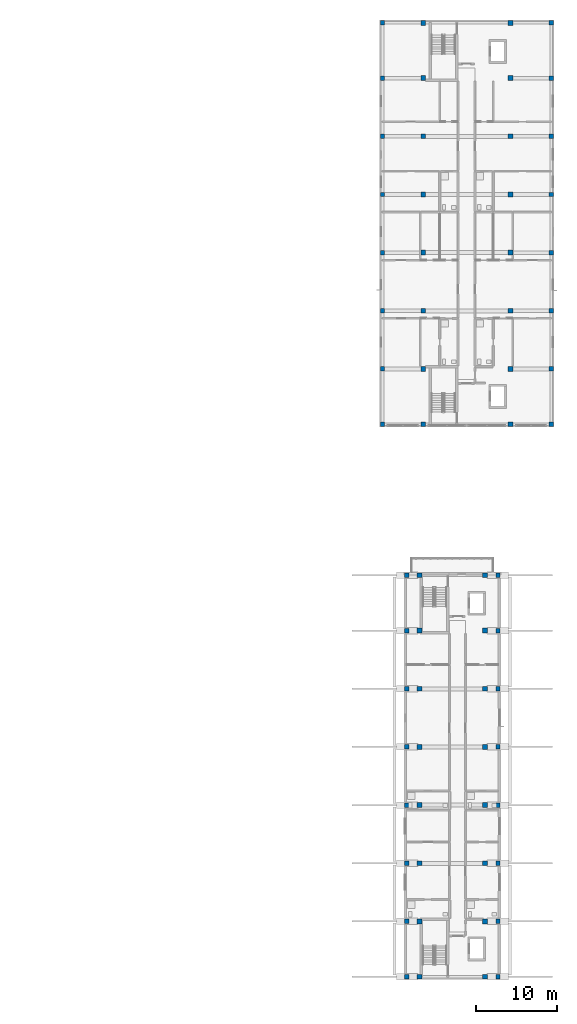
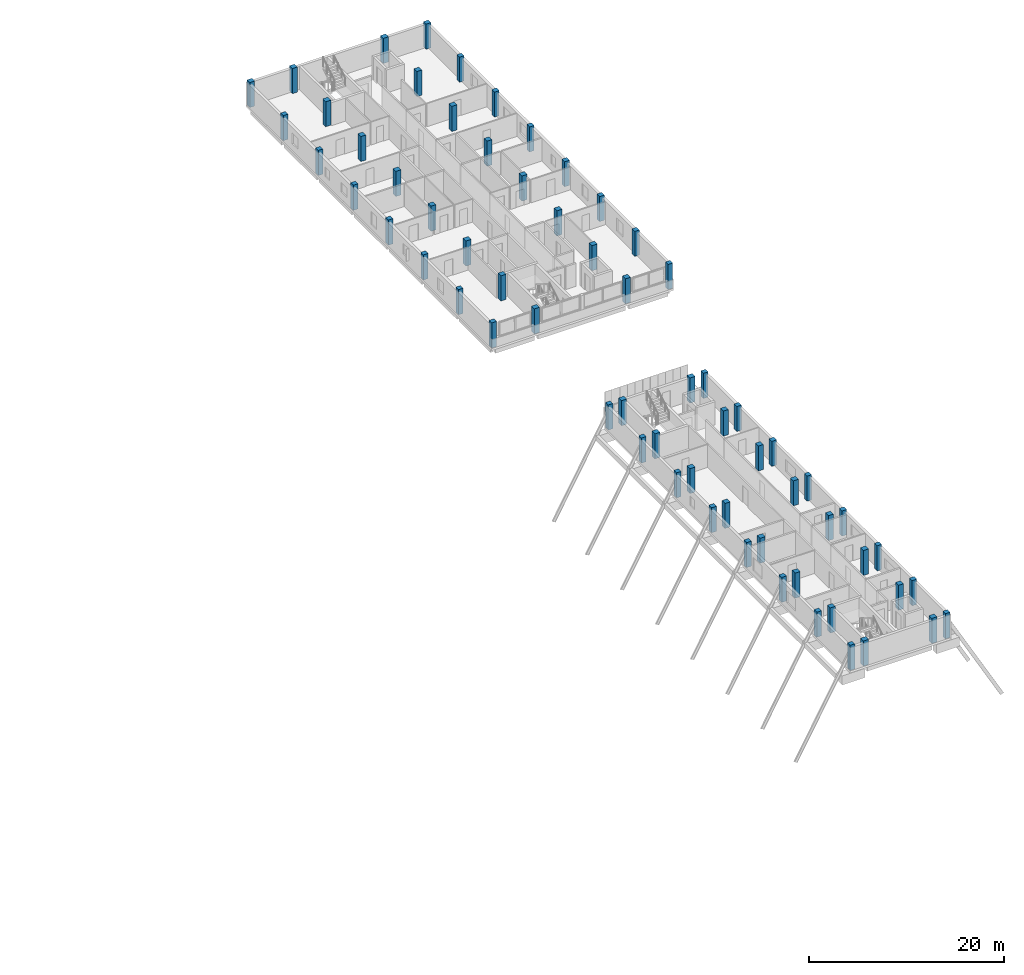
# One storey, part 2 of 34: 64 columns.
"""IFC4 building model written with IfcOpenShell, lengths in metres."""

from ifc_helpers import new_model, si_unit, derived_unit, direction, frame, origin, origin_2d, place, context, subcontext, project, spatial, rectangle, extrude, material, material_profile, profile_set, type_object, element, save


model = new_model("IFC4")

# Units and contexts
model_context = context("Model", 3, precision=1e-05, world=origin(), true_north=direction((0.0, 1.0)))
body_context = subcontext(model_context, "Body", "Model", "MODEL_VIEW")
ifc_project = project(units=[si_unit("LENGTHUNIT", "METRE"), si_unit("AREAUNIT", "SQUARE_METRE"), si_unit("VOLUMEUNIT", "CUBIC_METRE"), si_unit("PLANEANGLEUNIT", "RADIAN"), si_unit("MASSUNIT", "GRAM", prefix="KILO"), derived_unit("THERMALTRANSMITTANCEUNIT", [(si_unit("MASSUNIT", "GRAM", prefix="KILO"), 1), (si_unit("TIMEUNIT", "SECOND"), -3), (si_unit("THERMODYNAMICTEMPERATUREUNIT", "KELVIN"), -1)])], contexts=[model_context])

# Site, building, storey
site_placement = place(None, origin())
site = spatial("IfcSite", under=ifc_project, at=site_placement, CompositionType="ELEMENT")
building_placement = place(site_placement, origin())
building = spatial("IfcBuilding", under=site, at=building_placement, Name="Ochrekiln Boulevard Commons", CompositionType="ELEMENT")
storey_placement = place(building_placement, frame((0.0, 0.0, 27.824951171875)))
storey = spatial("IfcBuildingStorey", under=building, at=storey_placement, Name="L08", CompositionType="ELEMENT", Elevation=27.824951171875)

# Columns
ifc_material_1 = material(Name="Concrete C35/45", Category="concrete")
ifc_material_profile_1 = material_profile(ifc_material_1, rectangle(XDim=0.550048828125, YDim=0.550048828125, at=origin_2d()), Name="RC-COL-550x550")
ifc_profile_set_1 = profile_set([ifc_material_profile_1], Name="Concrete C35/45")
column_type_1 = type_object("IfcColumnType", Name="COL-RC-550", PredefinedType="COLUMN", material=ifc_profile_set_1)
for number, where, z_axis, x_axis, name in (
    (1, (151.550048828125, 68.75, 0.0), (0.0, 0.0, 1.0), (1.0, 0.0, 0.0), "Block B L08 Column C-550 (1)"),
    (2, (151.550048828125, 75.60009765625, 0.0), (0.0, 0.0, 1.0), (1.0, 0.0, 0.0), "Block B L08 Column C-550 (2)"),
    (3, (151.550048828125, 82.800048828125, 0.0), (0.0, 0.0, 1.0), (1.0, 0.0, 0.0), "Block B L08 Column C-550 (3)"),
    (4, (151.550048828125, 90.0, 0.0), (0.0, 0.0, 1.0), (1.0, 0.0, 0.0), "Block B L08 Column C-550 (4)"),
    (5, (151.550048828125, 97.199951171875, 0.0), (0.0, 0.0, 1.0), (1.0, 0.0, 0.0), "Block B L08 Column C-550 (5)"),
    (6, (151.550048828125, 104.39990234375, 0.0), (0.0, 0.0, 1.0), (1.0, 0.0, 0.0), "Block B L08 Column C-550 (6)"),
    (7, (151.550048828125, 111.60009765625, 0.0), (0.0, 0.0, 1.0), (1.0, 0.0, 0.0), "Block B L08 Column C-550 (7)"),
    (8, (151.550048828125, 118.449951171875, 0.0), (0.0, 0.0, 1.0), (1.0, 0.0, 0.0), "Block B L08 Column C-550 (8)"),
    (9, (172.449951171875, 68.75, 0.0), (0.0, 0.0, 1.0), (1.0, 0.0, 0.0), "Block B L08 Column C-550 (25)"),
    (10, (172.449951171875, 75.60009765625, 0.0), (0.0, 0.0, 1.0), (1.0, 0.0, 0.0), "Block B L08 Column C-550 (26)"),
    (11, (172.449951171875, 82.800048828125, 0.0), (0.0, 0.0, 1.0), (1.0, 0.0, 0.0), "Block B L08 Column C-550 (27)"),
    (12, (172.449951171875, 90.0, 0.0), (0.0, 0.0, 1.0), (1.0, 0.0, 0.0), "Block B L08 Column C-550 (28)"),
    (13, (172.449951171875, 97.199951171875, 0.0), (0.0, 0.0, 1.0), (1.0, 0.0, 0.0), "Block B L08 Column C-550 (29)"),
    (14, (172.449951171875, 104.39990234375, 0.0), (0.0, 0.0, 1.0), (1.0, 0.0, 0.0), "Block B L08 Column C-550 (30)"),
    (15, (172.449951171875, 111.60009765625, 0.0), (0.0, 0.0, 1.0), (1.0, 0.0, 0.0), "Block B L08 Column C-550 (31)"),
    (16, (172.449951171875, 118.449951171875, 0.0), (0.0, 0.0, 1.0), (1.0, 0.0, 0.0), "Block B L08 Column C-550 (32)"),
    (17, (154.550048828125, 0.35009765625, 0.0), (0.0, 0.0, 1.0), (1.0, 0.0, 0.0), "Block C L08 Column C-550 (1)"),
    (18, (154.550048828125, 7.199951171875, 0.0), (0.0, 0.0, 1.0), (1.0, 0.0, 0.0), "Block C L08 Column C-550 (2)"),
    (19, (154.550048828125, 14.39990234375, 0.0), (0.0, 0.0, 1.0), (1.0, 0.0, 0.0), "Block C L08 Column C-550 (3)"),
    (20, (154.550048828125, 21.60009765625, 0.0), (0.0, 0.0, 1.0), (1.0, 0.0, 0.0), "Block C L08 Column C-550 (4)"),
    (21, (154.550048828125, 28.800048828125, 0.0), (0.0, 0.0, 1.0), (1.0, 0.0, 0.0), "Block C L08 Column C-550 (5)"),
    (22, (154.550048828125, 36.0, 0.0), (0.0, 0.0, 1.0), (1.0, 0.0, 0.0), "Block C L08 Column C-550 (6)"),
    (23, (154.550048828125, 43.199951171875, 0.0), (0.0, 0.0, 1.0), (1.0, 0.0, 0.0), "Block C L08 Column C-550 (7)"),
    (24, (154.550048828125, 50.050048828125, 0.0), (0.0, 0.0, 1.0), (1.0, 0.0, 0.0), "Block C L08 Column C-550 (8)"),
    (25, (165.85009765625, 0.35009765625, 0.0), (0.0, 0.0, 1.0), (1.0, 0.0, 0.0), "Block C L08 Column C-550 (25)"),
    (26, (165.85009765625, 7.199951171875, 0.0), (0.0, 0.0, 1.0), (1.0, 0.0, 0.0), "Block C L08 Column C-550 (26)"),
    (27, (165.85009765625, 14.39990234375, 0.0), (0.0, 0.0, 1.0), (1.0, 0.0, 0.0), "Block C L08 Column C-550 (27)"),
    (28, (165.85009765625, 21.60009765625, 0.0), (0.0, 0.0, 1.0), (1.0, 0.0, 0.0), "Block C L08 Column C-550 (28)"),
    (29, (165.85009765625, 28.800048828125, 0.0), (0.0, 0.0, 1.0), (1.0, 0.0, 0.0), "Block C L08 Column C-550 (29)"),
    (30, (165.85009765625, 36.0, 0.0), (0.0, 0.0, 1.0), (1.0, 0.0, 0.0), "Block C L08 Column C-550 (30)"),
    (31, (165.85009765625, 43.199951171875, 0.0), (0.0, 0.0, 1.0), (1.0, 0.0, 0.0), "Block C L08 Column C-550 (31)"),
    (32, (165.85009765625, 50.050048828125, 0.0), (0.0, 0.0, 1.0), (1.0, 0.0, 0.0), "Block C L08 Column C-550 (32)"),
):
    element("IfcColumn", number, at=place(storey_placement, frame(where, z_axis=z_axis, x_axis=x_axis)), inside=storey, type_object=column_type_1, Name=name, PredefinedType="COLUMN", context=body_context, shape_type="SweptSolid", body=[
        extrude(rectangle(XDim=0.550048828125, YDim=0.550048828125, at=origin_2d()), origin(), (0.0, 0.0, 1.0), 3.150146484375),
    ])
ifc_material_2 = material(Name="Concrete C40/50", Category="concrete")
ifc_material_profile_2 = material_profile(ifc_material_2, rectangle(XDim=0.60009765625, YDim=0.60009765625, at=origin_2d()), Name="RC-COL-600x600")
ifc_profile_set_2 = profile_set([ifc_material_profile_2], Name="Concrete C40/50")
column_type_2 = type_object("IfcColumnType", Name="COL-RC-600", PredefinedType="COLUMN", material=ifc_profile_set_2)
for number, where, z_axis, x_axis, name in (
    (33, (156.60009765625, 68.75, 0.0), (0.0, 0.0, 1.0), (1.0, 0.0, 0.0), "Block B L08 Column C-600 (9)"),
    (34, (156.60009765625, 75.60009765625, 0.0), (0.0, 0.0, 1.0), (1.0, 0.0, 0.0), "Block B L08 Column C-600 (10)"),
    (35, (156.60009765625, 82.800048828125, 0.0), (0.0, 0.0, 1.0), (1.0, 0.0, 0.0), "Block B L08 Column C-600 (11)"),
    (36, (156.60009765625, 90.0, 0.0), (0.0, 0.0, 1.0), (1.0, 0.0, 0.0), "Block B L08 Column C-600 (12)"),
    (37, (156.60009765625, 97.199951171875, 0.0), (0.0, 0.0, 1.0), (1.0, 0.0, 0.0), "Block B L08 Column C-600 (13)"),
    (38, (156.60009765625, 104.39990234375, 0.0), (0.0, 0.0, 1.0), (1.0, 0.0, 0.0), "Block B L08 Column C-600 (14)"),
    (39, (156.60009765625, 111.60009765625, 0.0), (0.0, 0.0, 1.0), (1.0, 0.0, 0.0), "Block B L08 Column C-600 (15)"),
    (40, (156.60009765625, 118.449951171875, 0.0), (0.0, 0.0, 1.0), (1.0, 0.0, 0.0), "Block B L08 Column C-600 (16)"),
    (41, (167.39990234375, 68.75, 0.0), (0.0, 0.0, 1.0), (1.0, 0.0, 0.0), "Block B L08 Column C-600 (17)"),
    (42, (167.39990234375, 75.60009765625, 0.0), (0.0, 0.0, 1.0), (1.0, 0.0, 0.0), "Block B L08 Column C-600 (18)"),
    (43, (167.39990234375, 82.800048828125, 0.0), (0.0, 0.0, 1.0), (1.0, 0.0, 0.0), "Block B L08 Column C-600 (19)"),
    (44, (167.39990234375, 90.0, 0.0), (0.0, 0.0, 1.0), (1.0, 0.0, 0.0), "Block B L08 Column C-600 (20)"),
    (45, (167.39990234375, 97.199951171875, 0.0), (0.0, 0.0, 1.0), (1.0, 0.0, 0.0), "Block B L08 Column C-600 (21)"),
    (46, (167.39990234375, 104.39990234375, 0.0), (0.0, 0.0, 1.0), (1.0, 0.0, 0.0), "Block B L08 Column C-600 (22)"),
    (47, (167.39990234375, 111.60009765625, 0.0), (0.0, 0.0, 1.0), (1.0, 0.0, 0.0), "Block B L08 Column C-600 (23)"),
    (48, (167.39990234375, 118.449951171875, 0.0), (0.0, 0.0, 1.0), (1.0, 0.0, 0.0), "Block B L08 Column C-600 (24)"),
    (49, (156.14990234375, 0.35009765625, 0.0), (0.0, 0.0, 1.0), (1.0, 0.0, 0.0), "Block C L08 Column C-600 (9)"),
    (50, (156.14990234375, 7.199951171875, 0.0), (0.0, 0.0, 1.0), (1.0, 0.0, 0.0), "Block C L08 Column C-600 (10)"),
    (51, (156.14990234375, 14.39990234375, 0.0), (0.0, 0.0, 1.0), (1.0, 0.0, 0.0), "Block C L08 Column C-600 (11)"),
    (52, (156.14990234375, 21.60009765625, 0.0), (0.0, 0.0, 1.0), (1.0, 0.0, 0.0), "Block C L08 Column C-600 (12)"),
    (53, (156.14990234375, 28.800048828125, 0.0), (0.0, 0.0, 1.0), (1.0, 0.0, 0.0), "Block C L08 Column C-600 (13)"),
    (54, (156.14990234375, 36.0, 0.0), (0.0, 0.0, 1.0), (1.0, 0.0, 0.0), "Block C L08 Column C-600 (14)"),
    (55, (156.14990234375, 43.199951171875, 0.0), (0.0, 0.0, 1.0), (1.0, 0.0, 0.0), "Block C L08 Column C-600 (15)"),
    (56, (156.14990234375, 50.050048828125, 0.0), (0.0, 0.0, 1.0), (1.0, 0.0, 0.0), "Block C L08 Column C-600 (16)"),
    (57, (164.25, 0.35009765625, 0.0), (0.0, 0.0, 1.0), (1.0, 0.0, 0.0), "Block C L08 Column C-600 (17)"),
    (58, (164.25, 7.199951171875, 0.0), (0.0, 0.0, 1.0), (1.0, 0.0, 0.0), "Block C L08 Column C-600 (18)"),
    (59, (164.25, 14.39990234375, 0.0), (0.0, 0.0, 1.0), (1.0, 0.0, 0.0), "Block C L08 Column C-600 (19)"),
    (60, (164.25, 21.60009765625, 0.0), (0.0, 0.0, 1.0), (1.0, 0.0, 0.0), "Block C L08 Column C-600 (20)"),
    (61, (164.25, 28.800048828125, 0.0), (0.0, 0.0, 1.0), (1.0, 0.0, 0.0), "Block C L08 Column C-600 (21)"),
    (62, (164.25, 36.0, 0.0), (0.0, 0.0, 1.0), (1.0, 0.0, 0.0), "Block C L08 Column C-600 (22)"),
    (63, (164.25, 43.199951171875, 0.0), (0.0, 0.0, 1.0), (1.0, 0.0, 0.0), "Block C L08 Column C-600 (23)"),
    (64, (164.25, 50.050048828125, 0.0), (0.0, 0.0, 1.0), (1.0, 0.0, 0.0), "Block C L08 Column C-600 (24)"),
):
    element("IfcColumn", number, at=place(storey_placement, frame(where, z_axis=z_axis, x_axis=x_axis)), inside=storey, type_object=column_type_2, Name=name, PredefinedType="COLUMN", context=body_context, shape_type="SweptSolid", body=[
        extrude(rectangle(XDim=0.60009765625, YDim=0.60009765625, at=origin_2d()), origin(), (0.0, 0.0, 1.0), 3.150146484375),
    ])

save(model, "model.ifc")
